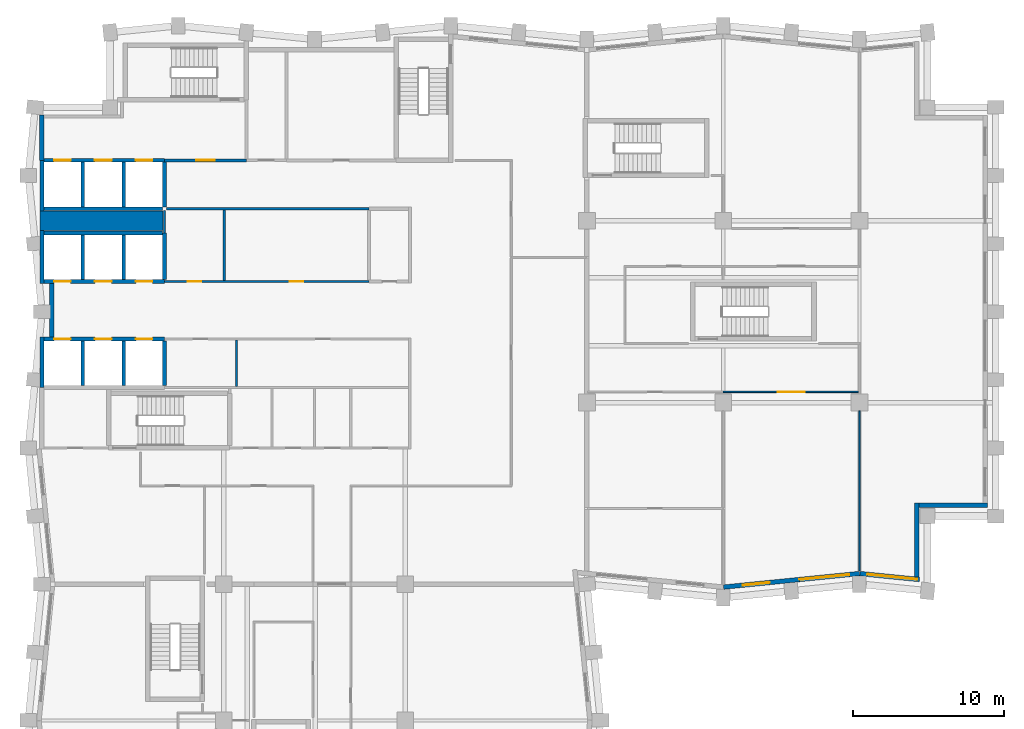
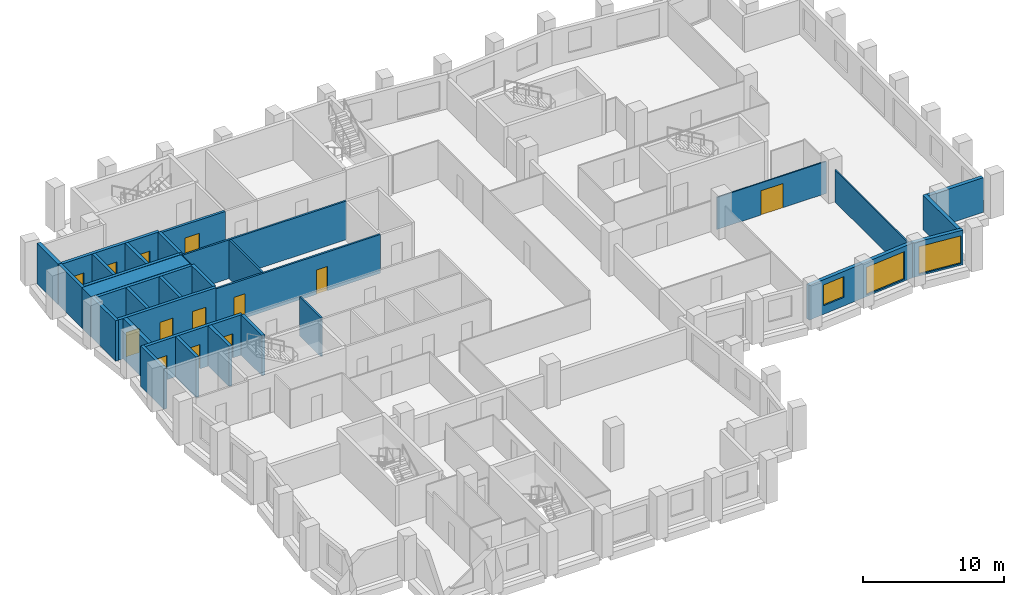
# One storey, part 5 of 10: 32 walls, 13 doors, 3 windows, 16 openings.
"""IFC4 building model written with IfcOpenShell, lengths in metres."""

from ifc_helpers import new_model, si_unit, direction, frame, frame_2d, origin, place, context, subcontext, project, spatial, rectangle, extrude, material, layer, layer_set, type_object, element, fill, save


model = new_model("IFC4")

# Units and contexts
model_context = context("Model", 3, precision=1e-05, world=origin(), true_north=direction((0.0, 1.0)))
body_context = subcontext(model_context, "Body", "Model", "MODEL_VIEW")
ifc_project = project(units=[si_unit("LENGTHUNIT", "METRE"), si_unit("AREAUNIT", "SQUARE_METRE"), si_unit("VOLUMEUNIT", "CUBIC_METRE"), si_unit("PLANEANGLEUNIT", "RADIAN"), si_unit("MASSUNIT", "GRAM", prefix="KILO")], contexts=[model_context])

# Site, building, storey
site_placement = place(None, origin())
site = spatial("IfcSite", under=ifc_project, at=site_placement, CompositionType="ELEMENT")
building_placement = place(site_placement, origin())
building = spatial("IfcBuilding", under=site, at=building_placement, Name="Brondeck Convention Tower", CompositionType="ELEMENT")
storey_placement = place(building_placement, frame((0.0, 0.0, 189.0)))
storey = spatial("IfcBuildingStorey", under=building, at=storey_placement, Name="L46", CompositionType="ELEMENT", Elevation=189.0)

# Walls
ifc_material_1 = material(Name="Concrete C70/85", Category="concrete")
ifc_layer_1 = layer(ifc_material_1, 0.300048828125)
ifc_layer_set_1 = layer_set([ifc_layer_1], Name="Core outer wall 300 Concrete C70/85")
wall_type_1 = type_object("IfcWallType", Name="Core outer wall 300 Concrete C70/85", PredefinedType="SHEAR", material=ifc_layer_set_1)
wall_1_placement = place(storey_placement, frame((0.0, 55.0, 0.0), z_axis=(0.0, 0.0, 1.0), x_axis=(0.0, 1.0, 0.0)))
element("IfcWall", 1, at=wall_1_placement, inside=storey, type_object=wall_type_1, Name="L46 core wall", PredefinedType="SHEAR", context=body_context, shape_type="SweptSolid", body=[
    extrude(rectangle(XDim=3.0, YDim=0.300048828125, at=frame_2d((1.5, 0.0))), origin(), (0.0, 0.0, 1.0), 3.5),
])
wall_2_placement = place(storey_placement, frame((0.64990234375, 43.324951171875, 0.0), z_axis=(0.0, 0.0, 1.0), x_axis=(0.0, 1.0, 0.0)))
element("IfcWall", 2, at=wall_2_placement, inside=storey, type_object=wall_type_1, Name="L46 core wall", PredefinedType="SHEAR", context=body_context, shape_type="SweptSolid", body=[
    extrude(rectangle(XDim=3.550048828125, YDim=0.300048828125, at=frame_2d((1.77490234375, 0.0))), origin(), (0.0, 0.0, 1.0), 3.5),
])

# Wall, openings, doors
ifc_material_2 = material(Name="Fire-rated gypsum board partition")
ifc_layer_2 = layer(ifc_material_2, 0.14990234375)
ifc_layer_set_2 = layer_set([ifc_layer_2], Name="Core partition 150 EI 60")
wall_type_2 = type_object("IfcWallType", Name="Core partition 150 EI 60", PredefinedType="PARTITIONING", material=ifc_layer_set_2)
wall_3_placement = place(storey_placement, frame((8.10009765625, 47.0, 0.0), z_axis=(0.0, 0.0, 1.0), x_axis=(1.0, 0.0, 0.0)))
wall_3 = element("IfcWall", 3, at=wall_3_placement, inside=storey, type_object=wall_type_2, Name="L46 core wall", PredefinedType="PARTITIONING", context=body_context, shape_type="SweptSolid", body=[
    extrude(rectangle(XDim=13.5, YDim=0.14990234375, at=frame_2d((6.75, 0.0))), origin(), (0.0, 0.0, 1.0), 3.35009765625),
])
opening_1_placement = place(wall_3_placement, frame((1.52490234375, 0.0, 0.0)))
opening_1 = element("IfcOpeningElement", 4, at=opening_1_placement, cuts=wall_3, Name="Opening C25-08", PredefinedType="OPENING", context=body_context, shape_type="SweptSolid", body=[
    extrude(rectangle(XDim=0.89990234375, YDim=2.10009765625, at=frame_2d((0.449951171875, 1.050048828125))), frame((0.0, 0.0849609375, 0.0), z_axis=(0.0, -1.0, 0.0), x_axis=(1.0, 0.0, 0.0)), (0.0, 0.0, 1.0), 0.169921875),
])
opening_2_placement = place(wall_3_placement, frame((8.27490234375, 0.0, 0.0)))
opening_2 = element("IfcOpeningElement", 5, at=opening_2_placement, cuts=wall_3, Name="Opening C25-09", PredefinedType="OPENING", context=body_context, shape_type="SweptSolid", body=[
    extrude(rectangle(XDim=0.89990234375, YDim=2.10009765625, at=frame_2d((0.449951171875, 1.050048828125))), frame((0.0, 0.0849609375, 0.0), z_axis=(0.0, -1.0, 0.0), x_axis=(1.0, 0.0, 0.0)), (0.0, 0.0, 1.0), 0.169921875),
])
ifc_material_3 = material(Name="Steel fire door", Category="steel")
door_type_1 = type_object("IfcDoorType", Name="Room door 900x2100 EI 60", OperationType="NOTDEFINED", PredefinedType="DOOR", material=ifc_material_3)
door_1_placement = place(opening_1_placement, origin())
door_1 = element("IfcDoor", 6, at=door_1_placement, inside=storey, type_object=door_type_1, Name="L46 Room door FZ-N-8.1-1", OperationType="SINGLE_SWING_LEFT", OverallHeight=2.10009765625, OverallWidth=0.89990234375, PredefinedType="DOOR", context=body_context, shape_type="SweptSolid", body=[
    extrude(rectangle(XDim=0.89990234375, YDim=2.10009765625, at=frame_2d((0.449951171875, 1.050048828125))), frame((0.0, 0.02490234375, 0.0), z_axis=(0.0, -1.0, 0.0), x_axis=(1.0, 0.0, 0.0)), (0.0, 0.0, 1.0), 0.050048828125),
])
fill(opening_1, door_1)
door_2_placement = place(opening_2_placement, origin())
door_2 = element("IfcDoor", 7, at=door_2_placement, inside=storey, type_object=door_type_1, Name="L46 Room door FZ-N-8.1-2", OperationType="SINGLE_SWING_RIGHT", OverallHeight=2.10009765625, OverallWidth=0.89990234375, PredefinedType="DOOR", context=body_context, shape_type="SweptSolid", body=[
    extrude(rectangle(XDim=0.89990234375, YDim=2.10009765625, at=frame_2d((0.449951171875, 1.050048828125))), frame((0.0, 0.02490234375, 0.0), z_axis=(0.0, -1.0, 0.0), x_axis=(1.0, 0.0, 0.0)), (0.0, 0.0, 1.0), 0.050048828125),
])
fill(opening_2, door_2)

# Walls
wall_4_placement = place(storey_placement, frame((8.22509765625, 51.800048828125, 0.0), z_axis=(0.0, 0.0, 1.0), x_axis=(1.0, 0.0, 0.0)))
element("IfcWall", 8, at=wall_4_placement, inside=storey, type_object=wall_type_2, Name="L46 core wall", PredefinedType="PARTITIONING", context=body_context, shape_type="SweptSolid", body=[
    extrude(rectangle(XDim=13.375, YDim=0.14990234375, at=frame_2d((6.6875, 0.0))), origin(), (0.0, 0.0, 1.0), 3.35009765625),
])
wall_5_placement = place(storey_placement, frame((8.10009765625, 50.199951171875, 0.0), z_axis=(0.0, 0.0, 1.0), x_axis=(0.0, 1.0, 0.0)))
element("IfcWall", 9, at=wall_5_placement, inside=storey, type_object=wall_type_2, Name="L46 core wall", PredefinedType="PARTITIONING", context=body_context, shape_type="SweptSolid", body=[
    extrude(rectangle(XDim=1.47509765625, YDim=0.14990234375, at=frame_2d((0.737548828125, 0.0))), origin(), (0.0, 0.0, 1.0), 3.35009765625),
])
wall_6_placement = place(storey_placement, frame((12.050048828125, 47.074951171875, 0.0), z_axis=(0.0, 0.0, 1.0), x_axis=(0.0, 1.0, 0.0)))
element("IfcWall", 10, at=wall_6_placement, inside=storey, type_object=wall_type_2, Name="L46 core wall", PredefinedType="PARTITIONING", context=body_context, shape_type="SweptSolid", body=[
    extrude(rectangle(XDim=4.650146484375, YDim=0.14990234375, at=frame_2d((2.3251953125, 0.0))), origin(), (0.0, 0.0, 1.0), 3.35009765625),
])
wall_7_placement = place(storey_placement, frame((12.85009765625, 40.074951171875, 0.0), z_axis=(0.0, 0.0, 1.0), x_axis=(0.0, 1.0, 0.0)))
element("IfcWall", 11, at=wall_7_placement, inside=storey, type_object=wall_type_2, Name="L46 core wall", PredefinedType="PARTITIONING", context=body_context, shape_type="SweptSolid", body=[
    extrude(rectangle(XDim=3.050048828125, YDim=0.14990234375, at=frame_2d((1.52490234375, 0.0))), origin(), (0.0, 0.0, 1.0), 3.35009765625),
])
ifc_layer_3 = layer(ifc_material_1, 1.300048828125)
ifc_layer_set_3 = layer_set([ifc_layer_3], Name="Core shear wall 1300 Concrete C70/85")
wall_type_3 = type_object("IfcWallType", Name="Core shear wall 1300 Concrete C70/85", PredefinedType="SHEAR", material=ifc_layer_set_3)
wall_8_placement = place(storey_placement, frame((-0.125, 51.0, 0.0), z_axis=(0.0, 0.0, 1.0), x_axis=(1.0, 0.0, 0.0)))
element("IfcWall", 12, at=wall_8_placement, inside=storey, type_object=wall_type_3, Name="L46 core wall", PredefinedType="SHEAR", context=body_context, shape_type="SweptSolid", body=[
    extrude(rectangle(XDim=8.125, YDim=1.300048828125, at=frame_2d((4.0625, 0.0))), origin(), (0.0, 0.0, 1.0), 3.5),
])

# Wall, openings, windows
ifc_material_4 = material(Name="Precast concrete C50/60 bronze finish", Category="concrete")
ifc_layer_4 = layer(ifc_material_4, 0.070068359375, Name="Bronze precast facing")
ifc_material_5 = material(Name="Mineral wool")
ifc_layer_5 = layer(ifc_material_5, 0.159912109375, Name="Insulation")
ifc_material_6 = material(Name="Concrete C35/45", Category="concrete")
ifc_layer_6 = layer(ifc_material_6, 0.070068359375, Name="Backing")
ifc_layer_set_4 = layer_set([ifc_layer_4, ifc_layer_5, ifc_layer_6], Name="External infill wall, precast concrete C50/60 bronze facing")
wall_type_4 = type_object("IfcWallType", Name="External infill wall, precast concrete C50/60 bronze facing", PredefinedType="SOLIDWALL", material=ifc_layer_set_4)
wall_9_placement = place(storey_placement, frame((54.014892578125, 27.705078125, 0.0), z_axis=(0.0, 0.0, 1.0), x_axis=(-0.995035316196, -0.099522457379, 0.0)))
wall_9 = element("IfcWall", 13, at=wall_9_placement, inside=storey, type_object=wall_type_4, Name="ENV-EW-L46-P1-A-S-02", PredefinedType="SOLIDWALL", context=body_context, shape_type="SweptSolid", body=[
    extrude(rectangle(XDim=9.030029296875, YDim=0.300048828125, at=frame_2d((4.51513671875, 0.0))), origin(), (0.0, 0.0, 1.0), 3.0),
])
opening_3_placement = place(wall_9_placement, frame((0.6962890625, 0.0, 0.14990234375)))
opening_3 = element("IfcOpeningElement", 14, at=opening_3_placement, cuts=wall_9, Name="Opening W9", PredefinedType="OPENING", context=body_context, shape_type="SweptSolid", body=[
    extrude(rectangle(XDim=3.300048828125, YDim=2.39990234375, at=frame_2d((1.64990234375, 1.199951171875))), frame((0.0, 0.159912109375, 0.0), z_axis=(0.0, -1.0, 0.0), x_axis=(1.0, 0.0, 0.0)), (0.0, 0.0, 1.0), 0.320068359375),
])
opening_4_placement = place(wall_9_placement, frame((5.968505859375, 0.0, 0.75)))
opening_4 = element("IfcOpeningElement", 15, at=opening_4_placement, cuts=wall_9, Name="Opening W10", PredefinedType="OPENING", context=body_context, shape_type="SweptSolid", body=[
    extrude(rectangle(XDim=1.800048828125, YDim=1.800048828125, at=frame_2d((0.89990234375, 0.89990234375))), frame((0.0, 0.159912109375, 0.0), z_axis=(0.0, -1.0, 0.0), x_axis=(1.0, 0.0, 0.0)), (0.0, 0.0, 1.0), 0.320068359375),
])
ifc_material_7 = material(Name="Bronze tinted double glazing", Category="glass")
window_type_1 = type_object("IfcWindowType", Name="Glazed flute window, bronze tinted", PartitioningType="SINGLE_PANEL", PredefinedType="WINDOW", material=ifc_material_7)
window_1_placement = place(opening_3_placement, origin())
window_1 = element("IfcWindow", 16, at=window_1_placement, inside=storey, type_object=window_type_1, Name="ENV-WN-L46-P1-A-S-03", OverallHeight=2.39990234375, OverallWidth=3.300048828125, PartitioningType="SINGLE_PANEL", PredefinedType="WINDOW", context=body_context, shape_type="SweptSolid", body=[
    extrude(rectangle(XDim=3.300048828125, YDim=2.39990234375, at=frame_2d((1.64990234375, 1.199951171875))), frame((0.0, 0.030029296875, 0.0), z_axis=(0.0, -1.0, 0.0), x_axis=(1.0, 0.0, 0.0)), (0.0, 0.0, 1.0), 0.06005859375),
])
fill(opening_3, window_1)
window_type_2 = type_object("IfcWindowType", Name="Punched window, bronze tinted", PartitioningType="SINGLE_PANEL", PredefinedType="WINDOW", material=ifc_material_7)
window_2_placement = place(opening_4_placement, origin())
window_2 = element("IfcWindow", 17, at=window_2_placement, inside=storey, type_object=window_type_2, Name="ENV-WN-L46-P1-A-S-02", OverallHeight=1.800048828125, OverallWidth=1.800048828125, PartitioningType="SINGLE_PANEL", PredefinedType="WINDOW", context=body_context, shape_type="SweptSolid", body=[
    extrude(rectangle(XDim=1.800048828125, YDim=1.800048828125, at=frame_2d((0.89990234375, 0.89990234375))), frame((0.0, 0.030029296875, 0.0), z_axis=(0.0, -1.0, 0.0), x_axis=(1.0, 0.0, 0.0)), (0.0, 0.0, 1.0), 0.06005859375),
])
fill(opening_4, window_2)

# Wall, opening, window
wall_10_placement = place(storey_placement, frame((57.96484375, 27.306884765625, 0.0), z_axis=(0.0, 0.0, 1.0), x_axis=(-0.99503596767, 0.099515943658, 0.0)))
wall_10 = element("IfcWall", 18, at=wall_10_placement, inside=storey, type_object=wall_type_4, Name="ENV-EW-L46-P1-A-S-04", PredefinedType="SOLIDWALL", context=body_context, shape_type="SweptSolid", body=[
    extrude(rectangle(XDim=3.95458984375, YDim=0.300048828125, at=frame_2d((1.977294921875, 0.0))), origin(), (0.0, 0.0, 1.0), 3.0),
])
opening_5_placement = place(wall_10_placement, frame((0.14990234375, 0.0, 0.14990234375)))
opening_5 = element("IfcOpeningElement", 19, at=opening_5_placement, cuts=wall_10, Name="Opening W9", PredefinedType="OPENING", context=body_context, shape_type="SweptSolid", body=[
    extrude(rectangle(XDim=3.300048828125, YDim=2.39990234375, at=frame_2d((1.64990234375, 1.199951171875))), frame((0.0, 0.159912109375, 0.0), z_axis=(0.0, -1.0, 0.0), x_axis=(1.0, 0.0, 0.0)), (0.0, 0.0, 1.0), 0.320068359375),
])
window_3_placement = place(opening_5_placement, origin())
window_3 = element("IfcWindow", 20, at=window_3_placement, inside=storey, type_object=window_type_1, Name="ENV-WN-L46-P1-A-S-04", OverallHeight=2.39990234375, OverallWidth=3.300048828125, PartitioningType="SINGLE_PANEL", PredefinedType="WINDOW", context=body_context, shape_type="SweptSolid", body=[
    extrude(rectangle(XDim=3.300048828125, YDim=2.39990234375, at=frame_2d((1.64990234375, 1.199951171875))), frame((0.0, 0.030029296875, 0.0), z_axis=(0.0, -1.0, 0.0), x_axis=(1.0, 0.0, 0.0)), (0.0, 0.0, 1.0), 0.06005859375),
])
fill(opening_5, window_3)

# Walls
wall_11_placement = place(storey_placement, frame((57.800048828125, 32.35009765625, 0.0), z_axis=(0.0, 0.0, 1.0), x_axis=(0.0, -1.0, 0.0)))
element("IfcWall", 21, at=wall_11_placement, inside=storey, type_object=wall_type_4, Name="ENV-EW-L46-P1-NC-SEA63-01", PredefinedType="SOLIDWALL", context=body_context, shape_type="SweptSolid", body=[
    extrude(rectangle(XDim=4.87060546875, YDim=0.300048828125, at=frame_2d((2.435302734375, 0.0))), origin(), (0.0, 0.0, 1.0), 3.0),
])
wall_12_placement = place(storey_placement, frame((62.449951171875, 32.199951171875, 0.0), z_axis=(0.0, 0.0, 1.0), x_axis=(-1.0, 0.0, 0.0)))
element("IfcWall", 22, at=wall_12_placement, inside=storey, type_object=wall_type_4, Name="ENV-EW-L46-P1-NC-SEA63-02", PredefinedType="SOLIDWALL", context=body_context, shape_type="SweptSolid", body=[
    extrude(rectangle(XDim=4.501953125, YDim=0.300048828125, at=frame_2d((2.2509765625, 0.0))), origin(), (0.0, 0.0, 1.0), 3.0),
])

# Wall, opening, door
ifc_layer_7 = layer(ifc_material_2, 0.199951171875)
ifc_layer_set_5 = layer_set([ifc_layer_7], Name="Firefighting lobby wall 200 EI 120")
wall_type_5 = type_object("IfcWallType", Name="Firefighting lobby wall 200 EI 120", PredefinedType="PARTITIONING", material=ifc_layer_set_5)
wall_13_placement = place(storey_placement, frame((8.10009765625, 55.0, 0.0), z_axis=(0.0, 0.0, 1.0), x_axis=(1.0, 0.0, 0.0)))
wall_13 = element("IfcWall", 23, at=wall_13_placement, inside=storey, type_object=wall_type_5, Name="L46 core wall", PredefinedType="PARTITIONING", context=body_context, shape_type="SweptSolid", body=[
    extrude(rectangle(XDim=5.39990234375, YDim=0.199951171875, at=frame_2d((2.699951171875, 0.0))), origin(), (0.0, 0.0, 1.0), 3.35009765625),
])
opening_6_placement = place(wall_13_placement, frame((2.10009765625, 0.0, 0.0)))
opening_6 = element("IfcOpeningElement", 24, at=opening_6_placement, cuts=wall_13, Name="Opening C25-01", PredefinedType="OPENING", context=body_context, shape_type="SweptSolid", body=[
    extrude(rectangle(XDim=1.199951171875, YDim=2.199951171875, at=frame_2d((0.60009765625, 1.10009765625))), frame((0.0, 0.10986328125, 0.0), z_axis=(0.0, -1.0, 0.0), x_axis=(1.0, 0.0, 0.0)), (0.0, 0.0, 1.0), 0.219970703125),
])
door_type_2 = type_object("IfcDoorType", Name="Firefighting lobby door 1200x2200 EI 120", OperationType="NOTDEFINED", PredefinedType="DOOR", material=ifc_material_3)
door_3_placement = place(opening_6_placement, origin())
door_3 = element("IfcDoor", 25, at=door_3_placement, inside=storey, type_object=door_type_2, Name="L46 Firefighting lobby door FFL-1", OperationType="SINGLE_SWING_RIGHT", OverallHeight=2.199951171875, OverallWidth=1.199951171875, PredefinedType="DOOR", context=body_context, shape_type="SweptSolid", body=[
    extrude(rectangle(XDim=1.199951171875, YDim=2.199951171875, at=frame_2d((0.60009765625, 1.10009765625))), frame((0.0, 0.02490234375, 0.0), z_axis=(0.0, -1.0, 0.0), x_axis=(1.0, 0.0, 0.0)), (0.0, 0.0, 1.0), 0.050048828125),
])
fill(opening_6, door_3)

# Wall, openings, doors
ifc_layer_8 = layer(ifc_material_1, 0.25)
ifc_layer_set_6 = layer_set([ifc_layer_8], Name="Lift shaft wall 250 Concrete C70/85")
wall_type_6 = type_object("IfcWallType", Name="Lift shaft wall 250 Concrete C70/85", PredefinedType="SHEAR", material=ifc_layer_set_6)
wall_14_placement = place(storey_placement, frame((0.125, 43.199951171875, 0.0), z_axis=(0.0, 0.0, 1.0), x_axis=(1.0, 0.0, 0.0)))
wall_14 = element("IfcWall", 26, at=wall_14_placement, inside=storey, type_object=wall_type_6, Name="L46 core wall", PredefinedType="SHEAR", context=body_context, shape_type="SweptSolid", body=[
    extrude(rectangle(XDim=7.97509765625, YDim=0.25, at=frame_2d((3.987548828125, 0.0))), origin(), (0.0, 0.0, 1.0), 3.5),
])
opening_7_placement = place(wall_14_placement, frame((0.675048828125, 0.0, 0.0)))
opening_7 = element("IfcOpeningElement", 27, at=opening_7_placement, cuts=wall_14, Name="Opening C25-24", PredefinedType="OPENING", context=body_context, shape_type="SweptSolid", body=[
    extrude(rectangle(XDim=1.10009765625, YDim=2.10009765625, at=frame_2d((0.550048828125, 1.050048828125))), frame((0.0, 0.135009765625, 0.0), z_axis=(0.0, -1.0, 0.0), x_axis=(1.0, 0.0, 0.0)), (0.0, 0.0, 1.0), 0.27001953125),
])
opening_8_placement = place(wall_14_placement, frame((3.375, 0.0, 0.0)))
opening_8 = element("IfcOpeningElement", 28, at=opening_8_placement, cuts=wall_14, Name="Opening C25-25", PredefinedType="OPENING", context=body_context, shape_type="SweptSolid", body=[
    extrude(rectangle(XDim=1.10009765625, YDim=2.10009765625, at=frame_2d((0.550048828125, 1.050048828125))), frame((0.0, 0.135009765625, 0.0), z_axis=(0.0, -1.0, 0.0), x_axis=(1.0, 0.0, 0.0)), (0.0, 0.0, 1.0), 0.27001953125),
])
opening_9_placement = place(wall_14_placement, frame((6.074951171875, 0.0, 0.0)))
opening_9 = element("IfcOpeningElement", 29, at=opening_9_placement, cuts=wall_14, Name="Opening C25-26", PredefinedType="OPENING", context=body_context, shape_type="SweptSolid", body=[
    extrude(rectangle(XDim=1.10009765625, YDim=2.10009765625, at=frame_2d((0.550048828125, 1.050048828125))), frame((0.0, 0.135009765625, 0.0), z_axis=(0.0, -1.0, 0.0), x_axis=(1.0, 0.0, 0.0)), (0.0, 0.0, 1.0), 0.27001953125),
])
ifc_material_8 = material(Name="Stainless steel lift door", Category="steel")
door_type_3 = type_object("IfcDoorType", Name="Lift landing door 1100x2100 EI 180", OperationType="DOUBLE_DOOR_SLIDING", PredefinedType="DOOR", material=ifc_material_8)
door_4_placement = place(opening_7_placement, origin())
door_4 = element("IfcDoor", 30, at=door_4_placement, inside=storey, type_object=door_type_3, Name="L46 Lift landing door HR1", OperationType="DOUBLE_DOOR_SLIDING", OverallHeight=2.10009765625, OverallWidth=1.10009765625, PredefinedType="DOOR", context=body_context, shape_type="SweptSolid", body=[
    extrude(rectangle(XDim=1.10009765625, YDim=2.10009765625, at=frame_2d((0.550048828125, 1.050048828125))), frame((0.0, 0.02490234375, 0.0), z_axis=(0.0, -1.0, 0.0), x_axis=(1.0, 0.0, 0.0)), (0.0, 0.0, 1.0), 0.050048828125),
])
fill(opening_7, door_4)
door_5_placement = place(opening_8_placement, origin())
door_5 = element("IfcDoor", 31, at=door_5_placement, inside=storey, type_object=door_type_3, Name="L46 Lift landing door HR2", OperationType="DOUBLE_DOOR_SLIDING", OverallHeight=2.10009765625, OverallWidth=1.10009765625, PredefinedType="DOOR", context=body_context, shape_type="SweptSolid", body=[
    extrude(rectangle(XDim=1.10009765625, YDim=2.10009765625, at=frame_2d((0.550048828125, 1.050048828125))), frame((0.0, 0.02490234375, 0.0), z_axis=(0.0, -1.0, 0.0), x_axis=(1.0, 0.0, 0.0)), (0.0, 0.0, 1.0), 0.050048828125),
])
fill(opening_8, door_5)
door_6_placement = place(opening_9_placement, origin())
door_6 = element("IfcDoor", 32, at=door_6_placement, inside=storey, type_object=door_type_3, Name="L46 Lift landing door HR3", OperationType="DOUBLE_DOOR_SLIDING", OverallHeight=2.10009765625, OverallWidth=1.10009765625, PredefinedType="DOOR", context=body_context, shape_type="SweptSolid", body=[
    extrude(rectangle(XDim=1.10009765625, YDim=2.10009765625, at=frame_2d((0.550048828125, 1.050048828125))), frame((0.0, 0.02490234375, 0.0), z_axis=(0.0, -1.0, 0.0), x_axis=(1.0, 0.0, 0.0)), (0.0, 0.0, 1.0), 0.050048828125),
])
fill(opening_9, door_6)

wall_15_placement = place(storey_placement, frame((0.125, 47.0, 0.0), z_axis=(0.0, 0.0, 1.0), x_axis=(1.0, 0.0, 0.0)))
wall_15 = element("IfcWall", 33, at=wall_15_placement, inside=storey, type_object=wall_type_6, Name="L46 core wall", PredefinedType="SHEAR", context=body_context, shape_type="SweptSolid", body=[
    extrude(rectangle(XDim=7.97509765625, YDim=0.25, at=frame_2d((3.987548828125, 0.0))), origin(), (0.0, 0.0, 1.0), 3.5),
])
opening_10_placement = place(wall_15_placement, frame((0.675048828125, 0.0, 0.0)))
opening_10 = element("IfcOpeningElement", 34, at=opening_10_placement, cuts=wall_15, Name="Opening C25-27", PredefinedType="OPENING", context=body_context, shape_type="SweptSolid", body=[
    extrude(rectangle(XDim=1.10009765625, YDim=2.10009765625, at=frame_2d((0.550048828125, 1.050048828125))), frame((0.0, 0.135009765625, 0.0), z_axis=(0.0, -1.0, 0.0), x_axis=(1.0, 0.0, 0.0)), (0.0, 0.0, 1.0), 0.27001953125),
])
opening_11_placement = place(wall_15_placement, frame((3.375, 0.0, 0.0)))
opening_11 = element("IfcOpeningElement", 35, at=opening_11_placement, cuts=wall_15, Name="Opening C25-28", PredefinedType="OPENING", context=body_context, shape_type="SweptSolid", body=[
    extrude(rectangle(XDim=1.10009765625, YDim=2.10009765625, at=frame_2d((0.550048828125, 1.050048828125))), frame((0.0, 0.135009765625, 0.0), z_axis=(0.0, -1.0, 0.0), x_axis=(1.0, 0.0, 0.0)), (0.0, 0.0, 1.0), 0.27001953125),
])
opening_12_placement = place(wall_15_placement, frame((6.074951171875, 0.0, 0.0)))
opening_12 = element("IfcOpeningElement", 36, at=opening_12_placement, cuts=wall_15, Name="Opening C25-29", PredefinedType="OPENING", context=body_context, shape_type="SweptSolid", body=[
    extrude(rectangle(XDim=1.10009765625, YDim=2.10009765625, at=frame_2d((0.550048828125, 1.050048828125))), frame((0.0, 0.135009765625, 0.0), z_axis=(0.0, -1.0, 0.0), x_axis=(1.0, 0.0, 0.0)), (0.0, 0.0, 1.0), 0.27001953125),
])
door_7_placement = place(opening_10_placement, origin())
door_7 = element("IfcDoor", 37, at=door_7_placement, inside=storey, type_object=door_type_3, Name="L46 Lift landing door HR4", OperationType="DOUBLE_DOOR_SLIDING", OverallHeight=2.10009765625, OverallWidth=1.10009765625, PredefinedType="DOOR", context=body_context, shape_type="SweptSolid", body=[
    extrude(rectangle(XDim=1.10009765625, YDim=2.10009765625, at=frame_2d((0.550048828125, 1.050048828125))), frame((0.0, 0.02490234375, 0.0), z_axis=(0.0, -1.0, 0.0), x_axis=(1.0, 0.0, 0.0)), (0.0, 0.0, 1.0), 0.050048828125),
])
fill(opening_10, door_7)
door_8_placement = place(opening_11_placement, origin())
door_8 = element("IfcDoor", 38, at=door_8_placement, inside=storey, type_object=door_type_3, Name="L46 Lift landing door HR5", OperationType="DOUBLE_DOOR_SLIDING", OverallHeight=2.10009765625, OverallWidth=1.10009765625, PredefinedType="DOOR", context=body_context, shape_type="SweptSolid", body=[
    extrude(rectangle(XDim=1.10009765625, YDim=2.10009765625, at=frame_2d((0.550048828125, 1.050048828125))), frame((0.0, 0.02490234375, 0.0), z_axis=(0.0, -1.0, 0.0), x_axis=(1.0, 0.0, 0.0)), (0.0, 0.0, 1.0), 0.050048828125),
])
fill(opening_11, door_8)
door_9_placement = place(opening_12_placement, origin())
door_9 = element("IfcDoor", 39, at=door_9_placement, inside=storey, type_object=door_type_3, Name="L46 Lift landing door HR6", OperationType="DOUBLE_DOOR_SLIDING", OverallHeight=2.10009765625, OverallWidth=1.10009765625, PredefinedType="DOOR", context=body_context, shape_type="SweptSolid", body=[
    extrude(rectangle(XDim=1.10009765625, YDim=2.10009765625, at=frame_2d((0.550048828125, 1.050048828125))), frame((0.0, 0.02490234375, 0.0), z_axis=(0.0, -1.0, 0.0), x_axis=(1.0, 0.0, 0.0)), (0.0, 0.0, 1.0), 0.050048828125),
])
fill(opening_12, door_9)

# Walls
for number, where, z_axis, x_axis, name in (
    (40, (0.125, 50.199951171875, 0.0), (0.0, 0.0, 1.0), (1.0, 0.0, 0.0), "L46 core wall"),
    (41, (0.125, 51.800048828125, 0.0), (0.0, 0.0, 1.0), (1.0, 0.0, 0.0), "L46 core wall"),
):
    element("IfcWall", number, at=place(storey_placement, frame(where, z_axis=z_axis, x_axis=x_axis)), inside=storey, type_object=wall_type_6, Name=name, PredefinedType="SHEAR", context=body_context, shape_type="SweptSolid", body=[
        extrude(rectangle(XDim=7.85009765625, YDim=0.25, at=frame_2d((3.925048828125, 0.0))), origin(), (0.0, 0.0, 1.0), 3.5),
    ])

# Wall, openings, doors
wall_16_placement = place(storey_placement, frame((0.14990234375, 55.0, 0.0), z_axis=(0.0, 0.0, 1.0), x_axis=(1.0, 0.0, 0.0)))
wall_16 = element("IfcWall", 42, at=wall_16_placement, inside=storey, type_object=wall_type_6, Name="L46 core wall", PredefinedType="SHEAR", context=body_context, shape_type="SweptSolid", body=[
    extrude(rectangle(XDim=7.9501953125, YDim=0.25, at=frame_2d((3.97509765625, 0.0))), origin(), (0.0, 0.0, 1.0), 3.5),
])
opening_13_placement = place(wall_16_placement, frame((0.64990234375, 0.0, 0.0)))
opening_13 = element("IfcOpeningElement", 43, at=opening_13_placement, cuts=wall_16, Name="Opening C25-21", PredefinedType="OPENING", context=body_context, shape_type="SweptSolid", body=[
    extrude(rectangle(XDim=1.10009765625, YDim=2.10009765625, at=frame_2d((0.550048828125, 1.050048828125))), frame((0.0, 0.135009765625, 0.0), z_axis=(0.0, -1.0, 0.0), x_axis=(1.0, 0.0, 0.0)), (0.0, 0.0, 1.0), 0.27001953125),
])
opening_14_placement = place(wall_16_placement, frame((3.35009765625, 0.0, 0.0)))
opening_14 = element("IfcOpeningElement", 44, at=opening_14_placement, cuts=wall_16, Name="Opening C25-22", PredefinedType="OPENING", context=body_context, shape_type="SweptSolid", body=[
    extrude(rectangle(XDim=1.10009765625, YDim=2.10009765625, at=frame_2d((0.550048828125, 1.050048828125))), frame((0.0, 0.135009765625, 0.0), z_axis=(0.0, -1.0, 0.0), x_axis=(1.0, 0.0, 0.0)), (0.0, 0.0, 1.0), 0.27001953125),
])
opening_15_placement = place(wall_16_placement, frame((6.050048828125, 0.0, 0.0)))
opening_15 = element("IfcOpeningElement", 45, at=opening_15_placement, cuts=wall_16, Name="Opening C25-23", PredefinedType="OPENING", context=body_context, shape_type="SweptSolid", body=[
    extrude(rectangle(XDim=1.10009765625, YDim=2.10009765625, at=frame_2d((0.550048828125, 1.050048828125))), frame((0.0, 0.135009765625, 0.0), z_axis=(0.0, -1.0, 0.0), x_axis=(1.0, 0.0, 0.0)), (0.0, 0.0, 1.0), 0.27001953125),
])
door_10_placement = place(opening_13_placement, origin())
door_10 = element("IfcDoor", 46, at=door_10_placement, inside=storey, type_object=door_type_3, Name="L46 Lift landing door FF1", OperationType="DOUBLE_DOOR_SLIDING", OverallHeight=2.10009765625, OverallWidth=1.10009765625, PredefinedType="DOOR", context=body_context, shape_type="SweptSolid", body=[
    extrude(rectangle(XDim=1.10009765625, YDim=2.10009765625, at=frame_2d((0.550048828125, 1.050048828125))), frame((0.0, 0.02490234375, 0.0), z_axis=(0.0, -1.0, 0.0), x_axis=(1.0, 0.0, 0.0)), (0.0, 0.0, 1.0), 0.050048828125),
])
fill(opening_13, door_10)
door_11_placement = place(opening_14_placement, origin())
door_11 = element("IfcDoor", 47, at=door_11_placement, inside=storey, type_object=door_type_3, Name="L46 Lift landing door FF2", OperationType="DOUBLE_DOOR_SLIDING", OverallHeight=2.10009765625, OverallWidth=1.10009765625, PredefinedType="DOOR", context=body_context, shape_type="SweptSolid", body=[
    extrude(rectangle(XDim=1.10009765625, YDim=2.10009765625, at=frame_2d((0.550048828125, 1.050048828125))), frame((0.0, 0.02490234375, 0.0), z_axis=(0.0, -1.0, 0.0), x_axis=(1.0, 0.0, 0.0)), (0.0, 0.0, 1.0), 0.050048828125),
])
fill(opening_14, door_11)
door_12_placement = place(opening_15_placement, origin())
door_12 = element("IfcDoor", 48, at=door_12_placement, inside=storey, type_object=door_type_3, Name="L46 Lift landing door FF3", OperationType="DOUBLE_DOOR_SLIDING", OverallHeight=2.10009765625, OverallWidth=1.10009765625, PredefinedType="DOOR", context=body_context, shape_type="SweptSolid", body=[
    extrude(rectangle(XDim=1.10009765625, YDim=2.10009765625, at=frame_2d((0.550048828125, 1.050048828125))), frame((0.0, 0.02490234375, 0.0), z_axis=(0.0, -1.0, 0.0), x_axis=(1.0, 0.0, 0.0)), (0.0, 0.0, 1.0), 0.050048828125),
])
fill(opening_15, door_12)

# Walls
wall_17_placement = place(storey_placement, frame((0.0, 40.0, 0.0), z_axis=(0.0, 0.0, 1.0), x_axis=(0.0, 1.0, 0.0)))
element("IfcWall", 49, at=wall_17_placement, inside=storey, type_object=wall_type_6, Name="L46 core wall", PredefinedType="SHEAR", context=body_context, shape_type="SweptSolid", body=[
    extrude(rectangle(XDim=3.324951171875, YDim=0.25, at=frame_2d((1.66259765625, 0.0))), origin(), (0.0, 0.0, 1.0), 3.5),
])
wall_18_placement = place(storey_placement, frame((0.0, 46.875, 0.0), z_axis=(0.0, 0.0, 1.0), x_axis=(0.0, 1.0, 0.0)))
element("IfcWall", 50, at=wall_18_placement, inside=storey, type_object=wall_type_6, Name="L46 core wall", PredefinedType="SHEAR", context=body_context, shape_type="SweptSolid", body=[
    extrude(rectangle(XDim=3.47509765625, YDim=0.25, at=frame_2d((1.737548828125, 0.0))), origin(), (0.0, 0.0, 1.0), 3.5),
])
wall_19_placement = place(storey_placement, frame((0.0, 51.64990234375, 0.0), z_axis=(0.0, 0.0, 1.0), x_axis=(0.0, 1.0, 0.0)))
element("IfcWall", 51, at=wall_19_placement, inside=storey, type_object=wall_type_6, Name="L46 core wall", PredefinedType="SHEAR", context=body_context, shape_type="SweptSolid", body=[
    extrude(rectangle(XDim=3.35009765625, YDim=0.25, at=frame_2d((1.675048828125, 0.0))), origin(), (0.0, 0.0, 1.0), 3.5),
])
for number, where, z_axis, x_axis, name in (
    (52, (2.699951171875, 40.125, 0.0), (0.0, 0.0, 1.0), (0.0, 1.0, 0.0), "L46 core wall"),
    (53, (2.699951171875, 47.125, 0.0), (0.0, 0.0, 1.0), (0.0, 1.0, 0.0), "L46 core wall"),
    (54, (2.699951171875, 51.925048828125, 0.0), (0.0, 0.0, 1.0), (0.0, 1.0, 0.0), "L46 core wall"),
    (55, (5.39990234375, 40.125, 0.0), (0.0, 0.0, 1.0), (0.0, 1.0, 0.0), "L46 core wall"),
    (56, (5.39990234375, 47.125, 0.0), (0.0, 0.0, 1.0), (0.0, 1.0, 0.0), "L46 core wall"),
    (57, (5.39990234375, 51.925048828125, 0.0), (0.0, 0.0, 1.0), (0.0, 1.0, 0.0), "L46 core wall"),
    (58, (8.10009765625, 40.125, 0.0), (0.0, 0.0, 1.0), (0.0, 1.0, 0.0), "L46 core wall"),
):
    element("IfcWall", number, at=place(storey_placement, frame(where, z_axis=z_axis, x_axis=x_axis)), inside=storey, type_object=wall_type_6, Name=name, PredefinedType="SHEAR", context=body_context, shape_type="SweptSolid", body=[
        extrude(rectangle(XDim=2.949951171875, YDim=0.25, at=frame_2d((1.47509765625, 0.0))), origin(), (0.0, 0.0, 1.0), 3.5),
    ])
wall_20_placement = place(storey_placement, frame((8.10009765625, 47.125, 0.0), z_axis=(0.0, 0.0, 1.0), x_axis=(0.0, 1.0, 0.0)))
element("IfcWall", 59, at=wall_20_placement, inside=storey, type_object=wall_type_6, Name="L46 core wall", PredefinedType="SHEAR", context=body_context, shape_type="SweptSolid", body=[
    extrude(rectangle(XDim=3.074951171875, YDim=0.25, at=frame_2d((1.53759765625, 0.0))), origin(), (0.0, 0.0, 1.0), 3.5),
])
wall_21_placement = place(storey_placement, frame((8.10009765625, 51.925048828125, 0.0), z_axis=(0.0, 0.0, 1.0), x_axis=(0.0, 1.0, 0.0)))
element("IfcWall", 60, at=wall_21_placement, inside=storey, type_object=wall_type_6, Name="L46 core wall", PredefinedType="SHEAR", context=body_context, shape_type="SweptSolid", body=[
    extrude(rectangle(XDim=2.949951171875, YDim=0.25, at=frame_2d((1.47509765625, 0.0))), origin(), (0.0, 0.0, 1.0), 3.5),
])
ifc_material_9 = material(Name="Gypsum board partition on steel studs", Category="steel")
ifc_layer_9 = layer(ifc_material_9, 0.10009765625)
ifc_layer_set_7 = layer_set([ifc_layer_9], Name="Room partition 100")
wall_type_7 = type_object("IfcWallType", Name="Room partition 100", PredefinedType="PARTITIONING", material=ifc_layer_set_7)
wall_22_placement = place(storey_placement, frame((54.0, 27.874267578125, 0.0), z_axis=(0.0, 0.0, 1.0), x_axis=(0.0, 1.0, 0.0)))
element("IfcWall", 61, at=wall_22_placement, inside=storey, type_object=wall_type_7, Name="FLR-L46-W025", PredefinedType="PARTITIONING", context=body_context, shape_type="SweptSolid", body=[
    extrude(rectangle(XDim=10.57080078125, YDim=0.10009765625, at=frame_2d((5.285400390625, 0.0))), origin(), (0.0, 0.0, 1.0), 2.780029296875),
])

# Wall, opening, door
wall_23_placement = place(storey_placement, frame((53.949951171875, 39.699951171875, 0.0), z_axis=(0.0, 0.0, 1.0), x_axis=(-1.0, 0.0, 0.0)))
wall_23 = element("IfcWall", 62, at=wall_23_placement, inside=storey, type_object=wall_type_7, Name="FLR-L46-W038", PredefinedType="PARTITIONING", context=body_context, shape_type="SweptSolid", body=[
    extrude(rectangle(XDim=8.949951171875, YDim=0.10009765625, at=frame_2d((4.47509765625, 0.0))), origin(), (0.0, 0.0, 1.0), 2.780029296875),
])
opening_16_placement = place(wall_23_placement, frame((3.550048828125, 0.0, 0.0)))
opening_16 = element("IfcOpeningElement", 63, at=opening_16_placement, cuts=wall_23, Name="Opening OF-J-008", PredefinedType="OPENING", context=body_context, shape_type="SweptSolid", body=[
    extrude(rectangle(XDim=1.800048828125, YDim=2.10009765625, at=frame_2d((0.89990234375, 1.050048828125))), frame((0.0, 0.06005859375, 0.0), z_axis=(0.0, -1.0, 0.0), x_axis=(1.0, 0.0, 0.0)), (0.0, 0.0, 1.0), 0.1201171875),
])
ifc_material_10 = material(Name="Glazed timber double door", Category="wood")
door_type_4 = type_object("IfcDoorType", Name="Double door 1800", OperationType="DOUBLE_DOOR_SINGLE_SWING", PredefinedType="DOOR", material=ifc_material_10)
door_13_placement = place(opening_16_placement, origin())
door_13 = element("IfcDoor", 64, at=door_13_placement, inside=storey, type_object=door_type_4, Name="Door OF-J-008", OperationType="DOUBLE_DOOR_SINGLE_SWING", OverallHeight=2.10009765625, OverallWidth=1.800048828125, PredefinedType="DOOR", context=body_context, shape_type="SweptSolid", body=[
    extrude(rectangle(XDim=1.800048828125, YDim=2.10009765625, at=frame_2d((0.89990234375, 1.050048828125))), frame((0.0, 0.02490234375, 0.0), z_axis=(0.0, -1.0, 0.0), x_axis=(1.0, 0.0, 0.0)), (0.0, 0.0, 1.0), 0.050048828125),
])
fill(opening_16, door_13)

save(model, "model.ifc")
